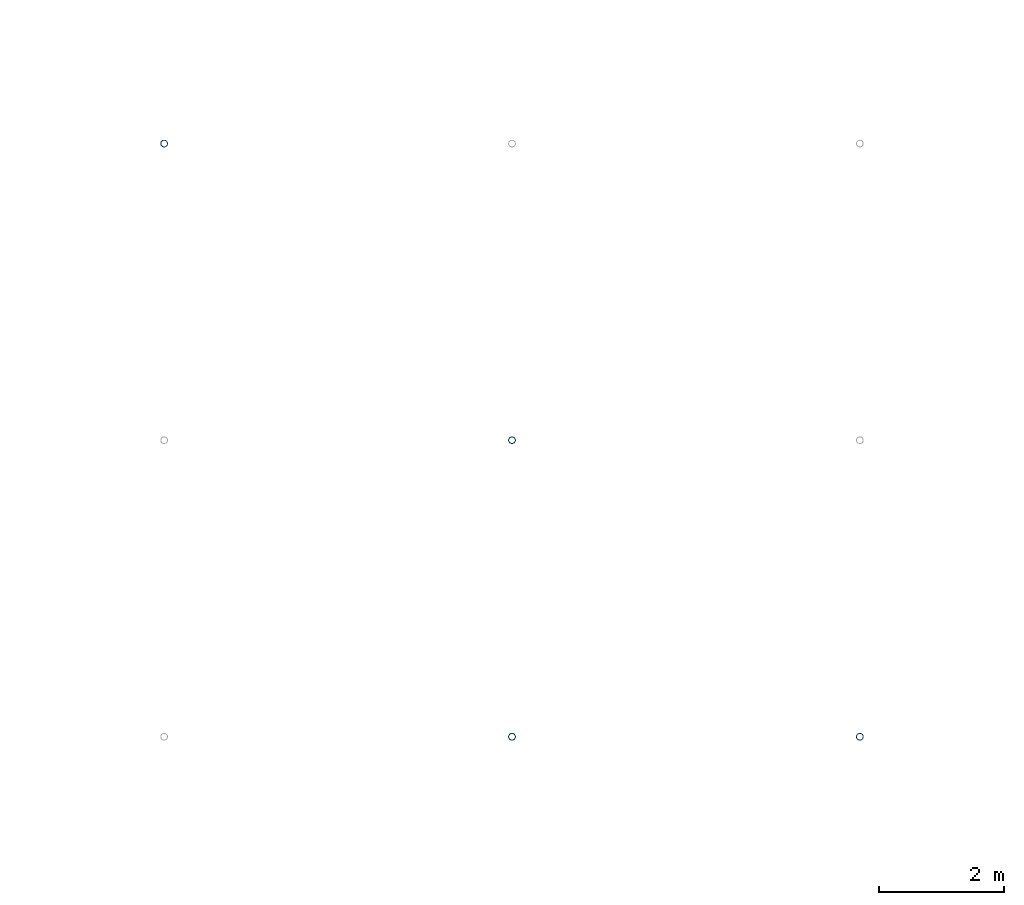
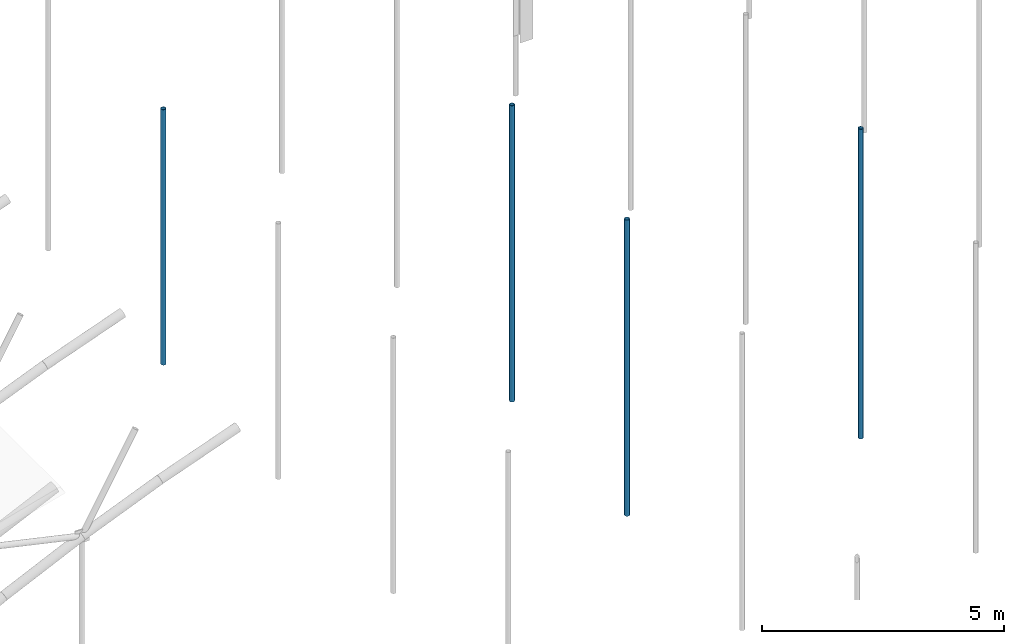
# One storey, part 13 of 50: 4 members.
"""IFC4 building model written with IfcOpenShell, lengths in metres."""

from ifc_helpers import new_model, si_unit, direction, frame, origin, origin_2d, place, context, subcontext, project, spatial, hollow_circle, extrude, material, material_profile, profile_set, type_object, element, save


model = new_model("IFC4")

# Units and contexts
model_context = context("Model", 3, precision=1e-05, world=origin(), true_north=direction((0.0, 1.0)))
body_context = subcontext(model_context, "Body", "Model", "MODEL_VIEW")
ifc_project = project(units=[si_unit("LENGTHUNIT", "METRE"), si_unit("AREAUNIT", "SQUARE_METRE"), si_unit("VOLUMEUNIT", "CUBIC_METRE"), si_unit("PLANEANGLEUNIT", "RADIAN"), si_unit("MASSUNIT", "GRAM", prefix="KILO")], contexts=[model_context])

# Site, building, storey
site_placement = place(None, origin())
site = spatial("IfcSite", under=ifc_project, at=site_placement, CompositionType="ELEMENT")
building_placement = place(site_placement, origin())
building = spatial("IfcBuilding", under=site, at=building_placement, Name="Elbe Cascade School", CompositionType="ELEMENT")
storey_placement = place(building_placement, frame((0.0, 0.0, 15.300048828125)))
storey = spatial("IfcBuildingStorey", under=building, at=storey_placement, Name="L04", CompositionType="ELEMENT", Elevation=15.300048828125)

# Members
ifc_material = material(Name="Steel S355J2H", Category="steel")
ifc_material_profile = material_profile(ifc_material, hollow_circle(Radius=0.05712890625, WallThickness=0.00634765625, at=origin_2d()), Name="CHS 114.3x6.3")
ifc_profile_set = profile_set([ifc_material_profile], Name="Steel S355J2H")
member_type = type_object("IfcMemberType", Name="Hall tie hanger CHS 114.3x6.3", PredefinedType="POST", material=ifc_profile_set)
member_1_placement = place(storey_placement, frame((28.428466796875, 55.25, -1.623779296875), z_axis=(0.0, 0.0, 1.0), x_axis=(1.0, 0.0, 0.0)))
element("IfcMember", 1, at=member_1_placement, inside=storey, type_object=member_type, Name="Hall tie hanger CHS 114.3x6.3 M7", PredefinedType="POST", context=body_context, shape_type="SweptSolid", body=[
    extrude(hollow_circle(Radius=0.05712890625, WallThickness=0.00634765625, at=origin_2d()), origin(), (0.0, 0.0, 1.0), 7.468505859375),
])
member_2_placement = place(storey_placement, frame((34.0, 55.25, -1.623779296875), z_axis=(0.0, 0.0, 1.0), x_axis=(1.0, 0.0, 0.0)))
element("IfcMember", 2, at=member_2_placement, inside=storey, type_object=member_type, Name="Hall tie hanger CHS 114.3x6.3 M7", PredefinedType="POST", context=body_context, shape_type="SweptSolid", body=[
    extrude(hollow_circle(Radius=0.05712890625, WallThickness=0.00634765625, at=origin_2d()), origin(), (0.0, 0.0, 1.0), 7.80615234375),
])
member_3_placement = place(storey_placement, frame((28.428466796875, 60.0, -1.623779296875), z_axis=(0.0, 0.0, 1.0), x_axis=(1.0, 0.0, 0.0)))
element("IfcMember", 3, at=member_3_placement, inside=storey, type_object=member_type, Name="Hall tie hanger CHS 114.3x6.3 M7", PredefinedType="POST", context=body_context, shape_type="SweptSolid", body=[
    extrude(hollow_circle(Radius=0.05712890625, WallThickness=0.00634765625, at=origin_2d()), origin(), (0.0, 0.0, 1.0), 7.468505859375),
])
member_4_placement = place(storey_placement, frame((22.857177734375, 64.75, -1.623779296875), z_axis=(0.0, 0.0, 1.0), x_axis=(1.0, 0.0, 0.0)))
element("IfcMember", 4, at=member_4_placement, inside=storey, type_object=member_type, Name="Hall tie hanger CHS 114.3x6.3 M7", PredefinedType="POST", context=body_context, shape_type="SweptSolid", body=[
    extrude(hollow_circle(Radius=0.05712890625, WallThickness=0.00634765625, at=origin_2d()), origin(), (0.0, 0.0, 1.0), 6.4404296875),
])

save(model, "model.ifc")
